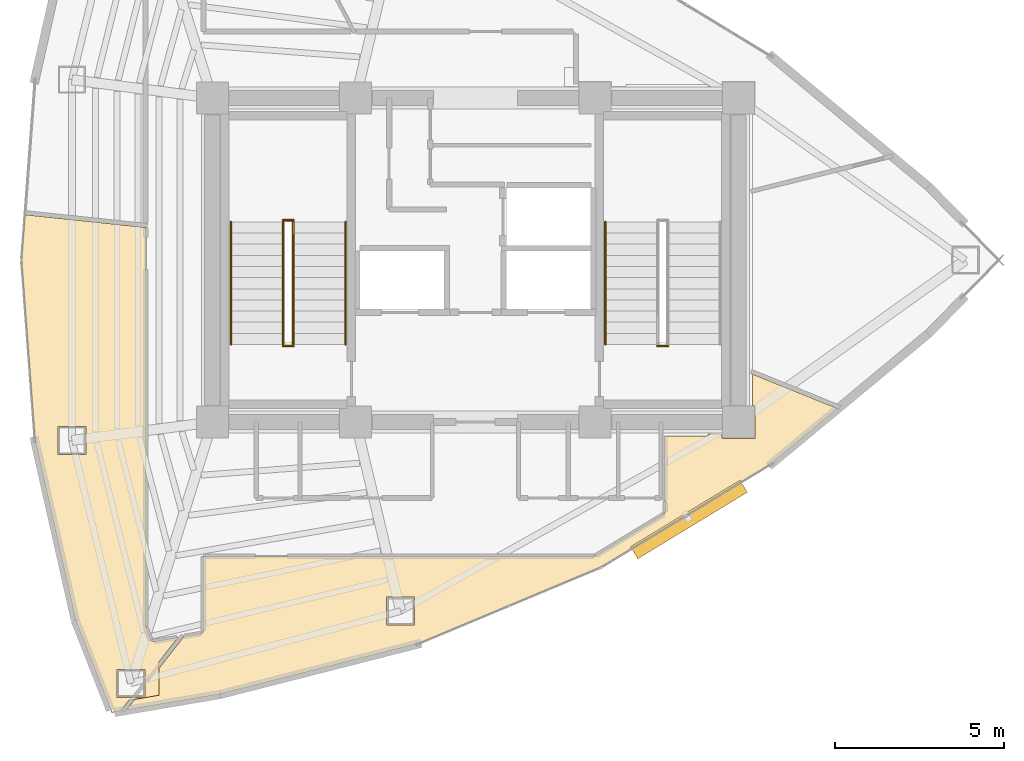
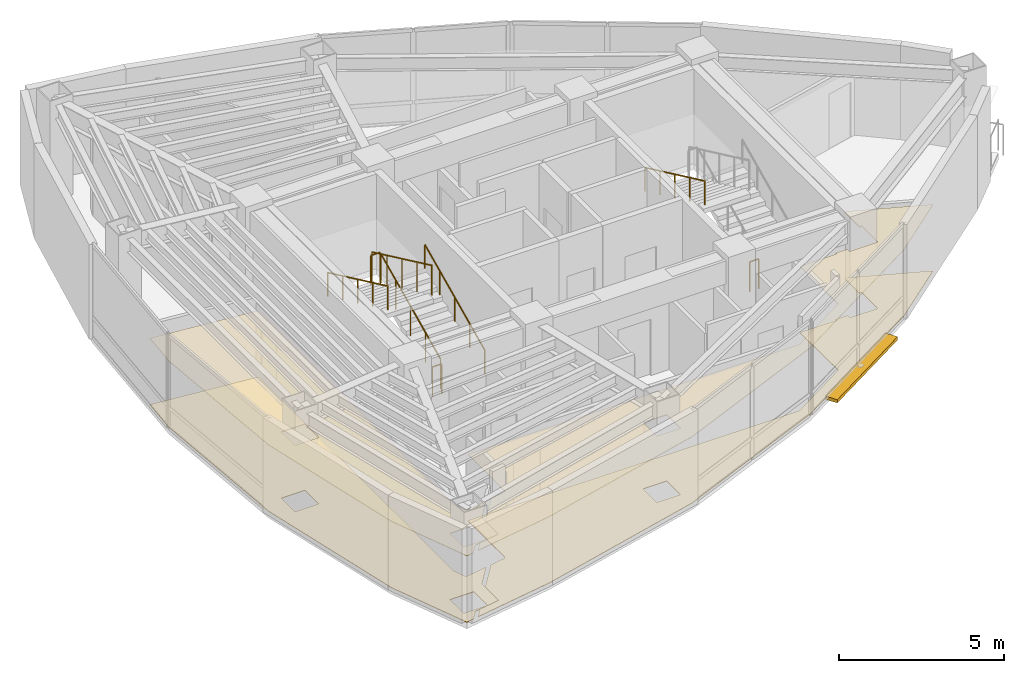
# One storey, part 14 of 15: 8 railings, 4 coverings, 1 shading device.
"""IFC4 building model written with IfcOpenShell, lengths in metres."""

import ifcopenshell
import ifcopenshell.guid

model = None  # the IFC model being written
_history = None  # IfcOwnerHistory: only IFC2X3 demands one
_inside = {}  # id of a spatial element -> (the spatial element, [elements in it])
_under = {}  # id of a project, library or spatial element -> (it, [spatial elements below it])
_declared = {}  # id of a project -> (the project, [libraries it declares])
_typed = {}  # id of a type object -> (the type object, [elements of that type])
_made_of = {}  # id of a material, layer set ... -> (it, [elements and type objects made of it])


def new_model(schema):
    """Start an empty IFC model of exactly this schema.

    Asked for "IFC4X3", IfcOpenShell would pick the latest addendum, in which some entities
    have other attributes; the version numbers below select the first issue.
    IFC2X3 requires an IfcOwnerHistory on every rooted entity: one is made here for all.
    """
    global model, _history
    if schema == "IFC4X3":
        model = ifcopenshell.file(schema_version=(4, 3, 0, 0))
    else:
        model = ifcopenshell.file(schema=schema)
    _inside.clear()
    _under.clear()
    _declared.clear()
    _typed.clear()
    _made_of.clear()
    _history = None
    if model.schema == "IFC2X3":
        org = make("IfcOrganization", Name="unknown")
        user = make(
            "IfcPersonAndOrganization",
            ThePerson=make("IfcPerson", FamilyName="unknown"),
            TheOrganization=org,
        )
        app = make(
            "IfcApplication",
            ApplicationDeveloper=org,
            Version="unknown",
            ApplicationFullName="unknown",
            ApplicationIdentifier="unknown",
        )
        _history = make(
            "IfcOwnerHistory",
            OwningUser=user,
            OwningApplication=app,
            ChangeAction="ADDED",
            CreationDate=0,
        )
    return model


def make(cls, **values):
    """One entity of the class cls with the attributes given. An attribute that is None is left unset."""
    return model.create_entity(
        cls, **{name: value for name, value in values.items() if value is not None}
    )


def rooted(cls, **values):
    """An entity with a GlobalId (a new one), such as an element, a storey or a relation."""
    return make(cls, GlobalId=ifcopenshell.guid.new(), OwnerHistory=_history, **values)


def si_unit(unit_type, name, prefix=None):
    """IfcSIUnit, for example si_unit("LENGTHUNIT", "METRE", prefix="MILLI")."""
    return make("IfcSIUnit", UnitType=unit_type, Prefix=prefix, Name=name)


def assignment(units):
    """IfcUnitAssignment: the units of a project."""
    return None if units is None else make("IfcUnitAssignment", Units=units)


def point(xyz):
    """IfcCartesianPoint."""
    return None if xyz is None else make("IfcCartesianPoint", Coordinates=xyz)


def direction(xyz):
    """IfcDirection."""
    return None if xyz is None else make("IfcDirection", DirectionRatios=xyz)


def frame(location, z_axis=None, x_axis=None):
    """IfcAxis2Placement3D, a coordinate frame: its origin and axes. An axis left out is left unset."""
    return make(
        "IfcAxis2Placement3D",
        Location=point(location),
        Axis=direction(z_axis),
        RefDirection=direction(x_axis),
    )


def frame_2d(location, x_axis=None):
    """IfcAxis2Placement2D, a coordinate frame in the plane: its origin and x axis."""
    return make(
        "IfcAxis2Placement2D", Location=point(location), RefDirection=direction(x_axis)
    )


def origin():
    """The frame at (0, 0, 0) with its axes left unset."""
    return frame((0.0, 0.0, 0.0))


def origin_2d():
    """The frame at (0, 0) in the plane with its x axis left unset."""
    return frame_2d((0.0, 0.0))


def place(relative_to, where):
    """IfcLocalPlacement: puts the frame where relative to a parent placement (None: the world)."""
    return make(
        "IfcLocalPlacement", PlacementRelTo=relative_to, RelativePlacement=where
    )


def context(
    kind, dimensions, precision=None, world=None, true_north=None, identifier=None
):
    """IfcGeometricRepresentationContext, for example the 3D "Model" context."""
    return make(
        "IfcGeometricRepresentationContext",
        ContextIdentifier=identifier,
        ContextType=kind,
        CoordinateSpaceDimension=dimensions,
        Precision=precision,
        WorldCoordinateSystem=world,
        TrueNorth=true_north,
    )


def subcontext(parent, identifier, kind, view, scale=None):
    """IfcGeometricRepresentationSubContext, for example "Body" below "Model"."""
    return make(
        "IfcGeometricRepresentationSubContext",
        ContextIdentifier=identifier,
        ContextType=kind,
        ParentContext=parent,
        TargetScale=scale,
        TargetView=view,
    )


def project(units=None, contexts=None):
    """IfcProject with its units and contexts."""
    return rooted(
        "IfcProject",
        Name="project",
        RepresentationContexts=contexts,
        UnitsInContext=assignment(units),
    )


def spatial(cls, under=None, at=None, **own):
    """A site, building, storey or space (cls), placed at a placement, below another one or the project."""
    s = rooted(cls, ObjectPlacement=at, **own)
    if under is not None:
        _under.setdefault(under.id(), (under, []))[1].append(s)
    return s


def polyline(points):
    """IfcPolyline through the points."""
    return make("IfcPolyline", Points=[point(p) for p in points])


def profile(cls, at=None, kind="AREA", **sizes):
    """A parametric profile (cls). Its sizes go by their IFC names, for example OverallWidth=200.0."""
    return make(cls, ProfileType=kind, Position=at, **sizes)


def rectangle(**sizes):
    """IfcRectangleProfileDef."""
    return profile("IfcRectangleProfileDef", **sizes)


def circle(**sizes):
    """IfcCircleProfileDef."""
    return profile("IfcCircleProfileDef", **sizes)


def outline(outer, holes=None, kind="AREA"):
    """IfcArbitraryClosedProfileDef: a profile drawn as a closed curve; with holes, ...WithVoids."""
    if holes is None:
        return make("IfcArbitraryClosedProfileDef", ProfileType=kind, OuterCurve=outer)
    return make(
        "IfcArbitraryProfileDefWithVoids",
        ProfileType=kind,
        OuterCurve=outer,
        InnerCurves=holes,
    )


def extrude(swept, where, along, depth):
    """IfcExtrudedAreaSolid: the profile swept, set in the frame where, extruded along a direction by depth."""
    return make(
        "IfcExtrudedAreaSolid",
        SweptArea=swept,
        Position=where,
        ExtrudedDirection=direction(along),
        Depth=depth,
    )


def shape(context_of_items, identifier, shape_type, items):
    """IfcShapeRepresentation: the items that make up one representation, for example the "Body"."""
    return make(
        "IfcShapeRepresentation",
        ContextOfItems=context_of_items,
        RepresentationIdentifier=identifier,
        RepresentationType=shape_type,
        Items=items,
    )


def material(Name=None, Category=None):
    """IfcMaterial."""
    return make("IfcMaterial", Name=Name, Category=Category)


def layer(
    of_material, thickness, ventilated=None, Name=None, Category=None, Priority=None
):
    """IfcMaterialLayer: one layer of a wall or slab, of a material (None: an air gap)."""
    return make(
        "IfcMaterialLayer",
        Material=of_material,
        LayerThickness=thickness,
        IsVentilated=ventilated,
        Name=Name,
        Category=Category,
        Priority=Priority,
    )


def layer_set(layers, Name=None):
    """IfcMaterialLayerSet."""
    return make("IfcMaterialLayerSet", MaterialLayers=layers, LayerSetName=Name)


def made_of(thing, what):
    """Note that an element or type object is made of a material, layer set ...; save() writes the relation."""
    if what is not None:
        _made_of.setdefault(what.id(), (what, []))[1].append(thing)
    return thing


def type_object(cls, material=None, **own):
    """A type object (cls), such as IfcWallType, which elements share."""
    return made_of(rooted(cls, **own), material)


def element(
    cls,
    number,
    at=None,
    inside=None,
    cuts=None,
    type_object=None,
    material=None,
    context=None,
    identifier="Body",
    shape_type=None,
    held_by="IfcProductDefinitionShape",
    body=None,
    shapes=None,
    **own,
):
    """One element of the class cls, such as IfcWall. Its Tag is "e" and its number.

    at: its placement. inside: the storey or other place that contains it. cuts: it is an
    opening in that element (IfcRelVoidsElement). A single representation is given by context,
    identifier, shape_type and body (its items); several are given by shapes. held_by: the class
    of the entity that holds the representations. save() writes the other relations.
    """
    e = rooted(cls, Tag="e%d" % number, ObjectPlacement=at, **own)
    if body is not None:
        shapes = [shape(context, identifier, shape_type, body)]
    if shapes is not None:
        e.Representation = make(held_by, Representations=shapes)
    if inside is not None:
        _inside.setdefault(inside.id(), (inside, []))[1].append(e)
    if cuts is not None:
        rooted(
            "IfcRelVoidsElement", RelatingBuildingElement=cuts, RelatedOpeningElement=e
        )
    if type_object is not None:
        _typed.setdefault(type_object.id(), (type_object, []))[1].append(e)
    return made_of(e, material)


def aggregate(whole, parts):
    """IfcRelAggregates: a whole, such as a stair, and the parts it consists of."""
    return rooted("IfcRelAggregates", RelatingObject=whole, RelatedObjects=parts)


def save(model, path):
    """Write the relations noted so far, then the file.

    IfcRelAggregates (storeys below a building ...), IfcRelContainedInSpatialStructure (elements
    in a storey), IfcRelDefinesByType, IfcRelAssociatesMaterial and IfcRelDeclares: one each for
    every whole, place, type object, material and project.
    """
    for whole, parts in _under.values():
        aggregate(whole, parts)
    for where, things in _inside.values():
        rooted(
            "IfcRelContainedInSpatialStructure",
            RelatedElements=things,
            RelatingStructure=where,
        )
    for kind, things in _typed.values():
        rooted("IfcRelDefinesByType", RelatedObjects=things, RelatingType=kind)
    for what, things in _made_of.values():
        rooted("IfcRelAssociatesMaterial", RelatedObjects=things, RelatingMaterial=what)
    for by, libraries in _declared.values():
        rooted("IfcRelDeclares", RelatingContext=by, RelatedDefinitions=libraries)
    model.write(path)


model = new_model("IFC4")

# Units and contexts
model_context = context("Model", 3, precision=1e-05, world=origin(), true_north=direction((0.0, 1.0)))
body_context = subcontext(model_context, "Body", "Model", "MODEL_VIEW")
ifc_project = project(units=[si_unit("LENGTHUNIT", "METRE"), si_unit("AREAUNIT", "SQUARE_METRE"), si_unit("VOLUMEUNIT", "CUBIC_METRE"), si_unit("PLANEANGLEUNIT", "RADIAN"), si_unit("MASSUNIT", "GRAM", prefix="KILO")], contexts=[model_context])

# Site, building, storey
site_placement = place(None, origin())
site = spatial("IfcSite", under=ifc_project, at=site_placement, CompositionType="ELEMENT")
building_placement = place(site_placement, origin())
building = spatial("IfcBuilding", under=site, at=building_placement, Name="Menara Vayukalpa", CompositionType="ELEMENT")
storey_placement = place(building_placement, frame((0.0, 0.0, 250.860107421875)))
storey = spatial("IfcBuildingStorey", under=building, at=storey_placement, Name="L63", CompositionType="ELEMENT", Elevation=250.860107421875)

# Coverings
ifc_material_1 = material(Name="Mineral Fibre Acoustic Ceiling Tile", Category="masonry")
ifc_layer_1 = layer(ifc_material_1, 0.02490234375)
ifc_layer_set_1 = layer_set([ifc_layer_1], Name="Mineral Fibre Acoustic Ceiling Tile")
covering_type_1 = type_object("IfcCoveringType", Name="COV-CLG1", PredefinedType="CEILING", material=ifc_layer_set_1)
covering_1_placement = place(storey_placement, frame((0.0, 0.0, 2.449951171875)))
element("IfcCovering", 1, at=covering_1_placement, inside=storey, type_object=covering_type_1, Name="L63 Digital Engineering Lab Acoustic Ceiling", PredefinedType="CEILING", context=body_context, shape_type="SweptSolid", body=[
    extrude(outline(polyline([(15.326416015625, 8.94775390625), (15.10205078125, 8.66064453125), (15.098388671875, 8.65576171875), (15.095703125, 8.650390625), (15.09326171875, 8.645263671875), (15.09130859375, 8.639404296875), (15.0908203125, 8.638427734375), (15.090576171875, 8.637451171875), (15.090087890625, 8.63671875), (15.08935546875, 8.635986328125), (15.088623046875, 8.63525390625), (15.087890625, 8.634521484375), (15.087158203125, 8.634033203125), (15.086181640625, 8.633544921875), (15.08544921875, 8.63330078125), (15.08447265625, 8.6328125), (15.08349609375, 8.632568359375), (14.82861328125, 8.58935546875), (14.827392578125, 8.589111328125), (14.826416015625, 8.589111328125), (14.82568359375, 8.58935546875), (14.82470703125, 8.58935546875), (14.82373046875, 8.589599609375), (14.82275390625, 8.590087890625), (14.822021484375, 8.590576171875), (14.821044921875, 8.591064453125), (14.8203125, 8.591552734375), (14.819580078125, 8.59228515625), (14.81884765625, 8.593017578125), (14.818359375, 8.59375), (14.81787109375, 8.5947265625), (14.8173828125, 8.595458984375), (13.751953125, 11.308837890625), (13.751708984375, 11.309814453125), (13.75146484375, 11.310302734375), (12.549072265625, 16.654052734375), (12.548828125, 16.655517578125), (12.148193359375, 21.999267578125), (12.148193359375, 22.0), (12.148193359375, 22.000732421875), (12.247802734375, 23.33251953125), (12.248046875, 23.33349609375), (12.248291015625, 23.334716796875), (12.24853515625, 23.335693359375), (12.2490234375, 23.33642578125), (12.24951171875, 23.33740234375), (12.25, 23.338134765625), (12.250732421875, 23.3388671875), (12.25146484375, 23.339599609375), (12.252197265625, 23.340087890625), (12.253173828125, 23.3408203125), (12.25390625, 23.341064453125), (12.2548828125, 23.341552734375), (12.256103515625, 23.341796875), (12.2568359375, 23.341796875), (12.2578125, 23.341796875), (12.2587890625, 23.341796875), (15.821044921875, 22.96728515625), (15.822021484375, 22.96728515625), (15.822998046875, 22.967041015625), (15.823974609375, 22.966796875), (15.82470703125, 22.96630859375), (15.82568359375, 22.9658203125), (15.826416015625, 22.965087890625), (15.8271484375, 22.964599609375), (15.82763671875, 22.9638671875), (15.828369140625, 22.962890625), (15.828857421875, 22.962158203125), (15.8291015625, 22.961181640625), (15.82958984375, 22.96044921875), (15.829833984375, 22.95947265625), (15.830078125, 22.95849609375), (15.830078125, 22.95751953125), (15.830078125, 11.146484375), (15.830322265625, 11.1396484375), (15.831298828125, 11.13330078125), (15.832763671875, 11.126708984375), (15.8349609375, 11.12060546875), (15.984619140625, 10.7392578125), (15.987548828125, 10.732666015625), (15.990966796875, 10.726806640625), (15.994873046875, 10.72119140625), (15.999267578125, 10.716064453125), (16.00439453125, 10.71142578125), (16.009765625, 10.707275390625), (16.015625, 10.70361328125), (16.021484375, 10.700439453125), (16.02783203125, 10.697998046875), (16.034423828125, 10.6962890625), (16.041259765625, 10.695068359375), (16.048095703125, 10.694580078125), (16.054931640625, 10.694580078125), (16.06201171875, 10.695556640625), (16.7626953125, 10.814697265625), (16.763671875, 10.814697265625), (16.7646484375, 10.814697265625), (16.765625, 10.814697265625), (16.7666015625, 10.814453125), (16.767578125, 10.814208984375), (16.7685546875, 10.813720703125), (16.76953125, 10.813232421875), (16.770263671875, 10.812744140625), (16.77099609375, 10.81201171875), (16.771728515625, 10.811279296875), (16.7724609375, 10.810791015625), (16.77294921875, 10.809814453125), (16.7734375, 10.808837890625), (16.773681640625, 10.80810546875), (16.774169921875, 10.80712890625), (16.7744140625, 10.80615234375), (16.7744140625, 10.80517578125), (16.7744140625, 10.80419921875), (16.7744140625, 10.802978515625), (16.774169921875, 10.802001953125), (16.773681640625, 10.801025390625), (16.773193359375, 10.80029296875), (16.77294921875, 10.79931640625), (16.772216796875, 10.798583984375), (16.22412109375, 10.096923828125), (16.22412109375, 9.10009765625), (15.326416015625, 8.94775390625)]), holes=[polyline([(14.97412109375, 9.870361328125), (14.97412109375, 9.040283203125), (15.80419921875, 9.040283203125), (15.80419921875, 9.870361328125), (14.97412109375, 9.870361328125)]), polyline([(14.053955078125, 17.068359375), (13.22412109375, 17.068359375), (13.22412109375, 16.23828125), (14.053955078125, 16.23828125), (14.053955078125, 17.068359375)])]), origin(), (0.0, 0.0, 1.0), 0.02490234375),
])
covering_2_placement = place(storey_placement, frame((0.0, 0.0, 2.449951171875)))
element("IfcCovering", 2, at=covering_2_placement, inside=storey, type_object=covering_type_1, Name="L63 Digital Engineering Lab Acoustic Ceiling", PredefinedType="CEILING", context=body_context, shape_type="SweptSolid", body=[
    extrude(outline(polyline([(16.959716796875, 10.84326171875), (16.9609375, 10.84521484375), (16.96142578125, 10.845947265625), (16.962158203125, 10.8466796875), (16.962890625, 10.847412109375), (16.9638671875, 10.847900390625), (16.964599609375, 10.848388671875), (16.965576171875, 10.8486328125), (16.966552734375, 10.84912109375), (16.96728515625, 10.849365234375), (17.471435546875, 10.934814453125), (17.478515625, 10.936279296875), (17.485107421875, 10.938720703125), (17.49169921875, 10.94140625), (17.497802734375, 10.94482421875), (17.50341796875, 10.94921875), (17.5087890625, 10.95361328125), (17.513427734375, 10.958740234375), (17.517822265625, 10.96435546875), (17.521484375, 10.97021484375), (17.5244140625, 10.9765625), (17.52685546875, 10.983154296875), (17.528564453125, 10.989990234375), (17.529541015625, 10.996826171875), (17.530029296875, 11.004150390625), (17.530029296875, 13.2099609375), (17.530029296875, 13.2109375), (17.5302734375, 13.2119140625), (17.530517578125, 13.212890625), (17.53076171875, 13.2138671875), (17.53125, 13.214599609375), (17.53173828125, 13.215576171875), (17.5322265625, 13.21630859375), (17.532958984375, 13.217041015625), (17.53369140625, 13.2177734375), (17.534423828125, 13.21826171875), (17.535400390625, 13.21875), (17.5361328125, 13.21923828125), (17.537109375, 13.219482421875), (17.5380859375, 13.2197265625), (17.5390625, 13.219970703125), (17.5400390625, 13.219970703125), (29.109619140625, 13.219970703125), (29.11669921875, 13.220458984375), (29.12353515625, 13.221435546875), (29.13037109375, 13.22314453125), (29.13720703125, 13.2255859375), (29.153076171875, 13.232177734375), (29.157958984375, 13.234375), (29.16259765625, 13.237060546875), (31.18603515625, 14.46630859375), (31.1923828125, 14.470458984375), (31.19775390625, 14.47509765625), (31.20263671875, 14.480224609375), (31.20703125, 14.48583984375), (31.2109375, 14.491943359375), (31.214111328125, 14.498291015625), (31.216552734375, 14.5048828125), (31.218505859375, 14.511962890625), (31.219482421875, 14.51904296875), (31.219970703125, 14.5263671875), (31.219970703125, 14.849609375), (31.219482421875, 14.856689453125), (31.21875, 14.86376953125), (31.217041015625, 14.870361328125), (31.214599609375, 14.876708984375), (31.2119140625, 14.8828125), (31.211669921875, 14.883056640625), (31.211181640625, 14.8837890625), (31.210693359375, 14.884765625), (31.21044921875, 14.8857421875), (31.210205078125, 14.88671875), (31.2099609375, 14.8876953125), (31.2099609375, 14.888671875), (31.2099609375, 16.780029296875), (31.2099609375, 16.781005859375), (31.210205078125, 16.781982421875), (31.21044921875, 16.782958984375), (31.210693359375, 16.78369140625), (31.211181640625, 16.78466796875), (31.211669921875, 16.78564453125), (31.21240234375, 16.786376953125), (31.212890625, 16.787109375), (31.213623046875, 16.78759765625), (31.21435546875, 16.788330078125), (31.21533203125, 16.788818359375), (31.21630859375, 16.789306640625), (31.217041015625, 16.78955078125), (31.218017578125, 16.789794921875), (31.218994140625, 16.7900390625), (31.219970703125, 16.7900390625), (32.489990234375, 16.7900390625), (32.489990234375, 16.85009765625), (32.909912109375, 16.85009765625), (32.909912109375, 16.7099609375), (33.889892578125, 16.7099609375), (33.889892578125, 17.68994140625), (33.81005859375, 17.68994140625), (33.81005859375, 18.603515625), (33.81005859375, 18.6044921875), (33.810302734375, 18.605224609375), (33.810302734375, 18.606201171875), (33.810791015625, 18.607177734375), (33.811279296875, 18.608154296875), (33.811767578125, 18.60888671875), (33.812255859375, 18.609619140625), (33.81298828125, 18.6103515625), (33.813720703125, 18.611083984375), (33.814453125, 18.61181640625), (33.815185546875, 18.6123046875), (33.816162109375, 18.612548828125), (33.81689453125, 18.613037109375), (33.818115234375, 18.61328125), (33.819091796875, 18.61328125), (33.81982421875, 18.61328125), (33.82080078125, 18.61328125), (33.822021484375, 18.61328125), (33.82275390625, 18.613037109375), (33.82373046875, 18.61279296875), (36.321044921875, 17.603759765625), (36.322021484375, 17.603271484375), (36.322998046875, 17.602783203125), (36.32373046875, 17.602294921875), (36.324462890625, 17.6015625), (36.3251953125, 17.600830078125), (36.32568359375, 17.60009765625), (36.326171875, 17.59912109375), (36.32666015625, 17.598388671875), (36.326904296875, 17.597412109375), (36.3271484375, 17.596435546875), (36.327392578125, 17.595458984375), (36.327392578125, 17.594482421875), (36.327392578125, 17.593505859375), (36.3271484375, 17.592529296875), (36.326904296875, 17.591552734375), (36.32666015625, 17.590576171875), (36.326171875, 17.589599609375), (36.32568359375, 17.5888671875), (36.3251953125, 17.588134765625), (36.324462890625, 17.58740234375), (36.32373046875, 17.586669921875), (34.374755859375, 15.97021484375), (34.37353515625, 15.969482421875), (29.3271484375, 12.904052734375), (29.326416015625, 12.90380859375), (29.32568359375, 12.9033203125), (23.878662109375, 10.624755859375), (23.877197265625, 10.624267578125), (18.028564453125, 9.1328125), (18.027587890625, 9.132568359375), (15.28076171875, 8.666015625), (15.27978515625, 8.666015625), (15.27880859375, 8.666015625), (15.277587890625, 8.666015625), (15.276611328125, 8.666259765625), (15.275634765625, 8.66650390625), (15.27490234375, 8.6669921875), (15.27392578125, 8.66748046875), (15.273193359375, 8.66796875), (15.272216796875, 8.668701171875), (15.271484375, 8.669189453125), (15.27099609375, 8.669921875), (15.2705078125, 8.6708984375), (15.27001953125, 8.671875), (15.26953125, 8.672607421875), (15.269287109375, 8.673583984375), (15.26904296875, 8.674560546875), (15.26904296875, 8.675537109375), (15.26904296875, 8.676513671875), (15.26904296875, 8.677490234375), (15.269287109375, 8.6787109375), (15.269775390625, 8.6796875), (15.27001953125, 8.680419921875), (15.2705078125, 8.681396484375), (15.27099609375, 8.68212890625), (15.501953125, 8.9775390625), (14.99169921875, 8.890869140625), (14.55419921875, 10.0048828125), (14.55419921875, 10.290283203125), (16.22412109375, 10.290283203125), (16.22412109375, 9.90185546875), (16.959716796875, 10.84326171875)]), holes=[polyline([(14.97412109375, 9.870361328125), (14.97412109375, 9.040283203125), (15.80419921875, 9.040283203125), (15.80419921875, 9.870361328125), (14.97412109375, 9.870361328125)]), polyline([(23.796875, 12.01025390625), (22.966796875, 12.01025390625), (22.966796875, 11.18017578125), (23.796875, 11.18017578125), (23.796875, 12.01025390625)])]), origin(), (0.0, 0.0, 1.0), 0.02490234375),
])
ifc_material_2 = material(Name="Porcelain Stoneware Floor Tile", Category="masonry")
ifc_layer_2 = layer(ifc_material_2, 0.02001953125)
ifc_layer_set_2 = layer_set([ifc_layer_2], Name="Porcelain Stoneware Floor Tile")
covering_type_2 = type_object("IfcCoveringType", Name="COV-FLR1", PredefinedType="FLOORING", material=ifc_layer_set_2)
covering_3_placement = place(storey_placement, origin())
element("IfcCovering", 3, at=covering_3_placement, inside=storey, type_object=covering_type_2, Name="L63 Digital Engineering Lab Porcelain Flooring", PredefinedType="FLOORING", context=body_context, shape_type="SweptSolid", body=[
    extrude(outline(polyline([(15.326416015625, 8.94775390625), (15.10205078125, 8.66064453125), (15.098388671875, 8.65576171875), (15.095703125, 8.650390625), (15.09326171875, 8.645263671875), (15.09130859375, 8.639404296875), (15.0908203125, 8.638427734375), (15.090576171875, 8.637451171875), (15.090087890625, 8.63671875), (15.08935546875, 8.635986328125), (15.088623046875, 8.63525390625), (15.087890625, 8.634521484375), (15.087158203125, 8.634033203125), (15.086181640625, 8.633544921875), (15.08544921875, 8.63330078125), (15.08447265625, 8.6328125), (15.08349609375, 8.632568359375), (14.82861328125, 8.58935546875), (14.827392578125, 8.589111328125), (14.826416015625, 8.589111328125), (14.82568359375, 8.58935546875), (14.82470703125, 8.58935546875), (14.82373046875, 8.589599609375), (14.82275390625, 8.590087890625), (14.822021484375, 8.590576171875), (14.821044921875, 8.591064453125), (14.8203125, 8.591552734375), (14.819580078125, 8.59228515625), (14.81884765625, 8.593017578125), (14.818359375, 8.59375), (14.81787109375, 8.5947265625), (14.8173828125, 8.595458984375), (13.751953125, 11.308837890625), (13.751708984375, 11.309814453125), (13.75146484375, 11.310302734375), (12.549072265625, 16.654052734375), (12.548828125, 16.655517578125), (12.148193359375, 21.999267578125), (12.148193359375, 22.0), (12.148193359375, 22.000732421875), (12.247802734375, 23.33251953125), (12.248046875, 23.33349609375), (12.248291015625, 23.334716796875), (12.24853515625, 23.335693359375), (12.2490234375, 23.33642578125), (12.24951171875, 23.33740234375), (12.25, 23.338134765625), (12.250732421875, 23.3388671875), (12.25146484375, 23.339599609375), (12.252197265625, 23.340087890625), (12.253173828125, 23.3408203125), (12.25390625, 23.341064453125), (12.2548828125, 23.341552734375), (12.256103515625, 23.341796875), (12.2568359375, 23.341796875), (12.2578125, 23.341796875), (12.2587890625, 23.341796875), (15.821044921875, 22.96728515625), (15.822021484375, 22.96728515625), (15.822998046875, 22.967041015625), (15.823974609375, 22.966796875), (15.82470703125, 22.96630859375), (15.82568359375, 22.9658203125), (15.826416015625, 22.965087890625), (15.8271484375, 22.964599609375), (15.82763671875, 22.9638671875), (15.828369140625, 22.962890625), (15.828857421875, 22.962158203125), (15.8291015625, 22.961181640625), (15.82958984375, 22.96044921875), (15.829833984375, 22.95947265625), (15.830078125, 22.95849609375), (15.830078125, 22.95751953125), (15.830078125, 11.146484375), (15.830322265625, 11.1396484375), (15.831298828125, 11.13330078125), (15.832763671875, 11.126708984375), (15.8349609375, 11.12060546875), (15.984619140625, 10.7392578125), (15.987548828125, 10.732666015625), (15.990966796875, 10.726806640625), (15.994873046875, 10.72119140625), (15.999267578125, 10.716064453125), (16.00439453125, 10.71142578125), (16.009765625, 10.707275390625), (16.015625, 10.70361328125), (16.021484375, 10.700439453125), (16.02783203125, 10.697998046875), (16.034423828125, 10.6962890625), (16.041259765625, 10.695068359375), (16.048095703125, 10.694580078125), (16.054931640625, 10.694580078125), (16.06201171875, 10.695556640625), (16.7626953125, 10.814697265625), (16.763671875, 10.814697265625), (16.7646484375, 10.814697265625), (16.765625, 10.814697265625), (16.7666015625, 10.814453125), (16.767578125, 10.814208984375), (16.7685546875, 10.813720703125), (16.76953125, 10.813232421875), (16.770263671875, 10.812744140625), (16.77099609375, 10.81201171875), (16.771728515625, 10.811279296875), (16.7724609375, 10.810791015625), (16.77294921875, 10.809814453125), (16.7734375, 10.808837890625), (16.773681640625, 10.80810546875), (16.774169921875, 10.80712890625), (16.7744140625, 10.80615234375), (16.7744140625, 10.80517578125), (16.7744140625, 10.80419921875), (16.7744140625, 10.802978515625), (16.774169921875, 10.802001953125), (16.773681640625, 10.801025390625), (16.773193359375, 10.80029296875), (16.77294921875, 10.79931640625), (16.772216796875, 10.798583984375), (16.22412109375, 10.096923828125), (16.22412109375, 9.10009765625), (15.326416015625, 8.94775390625)]), holes=[polyline([(14.97412109375, 9.870361328125), (14.97412109375, 9.040283203125), (15.80419921875, 9.040283203125), (15.80419921875, 9.870361328125), (14.97412109375, 9.870361328125)]), polyline([(14.053955078125, 17.068359375), (13.22412109375, 17.068359375), (13.22412109375, 16.23828125), (14.053955078125, 16.23828125), (14.053955078125, 17.068359375)])]), origin(), (0.0, 0.0, 1.0), 0.019775390625),
])
covering_4_placement = place(storey_placement, origin())
element("IfcCovering", 4, at=covering_4_placement, inside=storey, type_object=covering_type_2, Name="L63 Digital Engineering Lab Porcelain Flooring", PredefinedType="FLOORING", context=body_context, shape_type="SweptSolid", body=[
    extrude(outline(polyline([(16.959716796875, 10.84326171875), (16.9609375, 10.84521484375), (16.96142578125, 10.845947265625), (16.962158203125, 10.8466796875), (16.962890625, 10.847412109375), (16.9638671875, 10.847900390625), (16.964599609375, 10.848388671875), (16.965576171875, 10.8486328125), (16.966552734375, 10.84912109375), (16.96728515625, 10.849365234375), (17.471435546875, 10.934814453125), (17.478515625, 10.936279296875), (17.485107421875, 10.938720703125), (17.49169921875, 10.94140625), (17.497802734375, 10.94482421875), (17.50341796875, 10.94921875), (17.5087890625, 10.95361328125), (17.513427734375, 10.958740234375), (17.517822265625, 10.96435546875), (17.521484375, 10.97021484375), (17.5244140625, 10.9765625), (17.52685546875, 10.983154296875), (17.528564453125, 10.989990234375), (17.529541015625, 10.996826171875), (17.530029296875, 11.004150390625), (17.530029296875, 13.2099609375), (17.530029296875, 13.2109375), (17.5302734375, 13.2119140625), (17.530517578125, 13.212890625), (17.53076171875, 13.2138671875), (17.53125, 13.214599609375), (17.53173828125, 13.215576171875), (17.5322265625, 13.21630859375), (17.532958984375, 13.217041015625), (17.53369140625, 13.2177734375), (17.534423828125, 13.21826171875), (17.535400390625, 13.21875), (17.5361328125, 13.21923828125), (17.537109375, 13.219482421875), (17.5380859375, 13.2197265625), (17.5390625, 13.219970703125), (17.5400390625, 13.219970703125), (29.109619140625, 13.219970703125), (29.11669921875, 13.220458984375), (29.12353515625, 13.221435546875), (29.13037109375, 13.22314453125), (29.13720703125, 13.2255859375), (29.153076171875, 13.232177734375), (29.157958984375, 13.234375), (29.16259765625, 13.237060546875), (31.18603515625, 14.46630859375), (31.1923828125, 14.470458984375), (31.19775390625, 14.47509765625), (31.20263671875, 14.480224609375), (31.20703125, 14.48583984375), (31.2109375, 14.491943359375), (31.214111328125, 14.498291015625), (31.216552734375, 14.5048828125), (31.218505859375, 14.511962890625), (31.219482421875, 14.51904296875), (31.219970703125, 14.5263671875), (31.219970703125, 14.849609375), (31.219482421875, 14.856689453125), (31.21875, 14.86376953125), (31.217041015625, 14.870361328125), (31.214599609375, 14.876708984375), (31.2119140625, 14.8828125), (31.211669921875, 14.883056640625), (31.211181640625, 14.8837890625), (31.210693359375, 14.884765625), (31.21044921875, 14.8857421875), (31.210205078125, 14.88671875), (31.2099609375, 14.8876953125), (31.2099609375, 14.888671875), (31.2099609375, 16.780029296875), (31.2099609375, 16.781005859375), (31.210205078125, 16.781982421875), (31.21044921875, 16.782958984375), (31.210693359375, 16.78369140625), (31.211181640625, 16.78466796875), (31.211669921875, 16.78564453125), (31.21240234375, 16.786376953125), (31.212890625, 16.787109375), (31.213623046875, 16.78759765625), (31.21435546875, 16.788330078125), (31.21533203125, 16.788818359375), (31.21630859375, 16.789306640625), (31.217041015625, 16.78955078125), (31.218017578125, 16.789794921875), (31.218994140625, 16.7900390625), (31.219970703125, 16.7900390625), (32.489990234375, 16.7900390625), (32.489990234375, 16.85009765625), (32.909912109375, 16.85009765625), (32.909912109375, 16.7099609375), (33.889892578125, 16.7099609375), (33.889892578125, 17.68994140625), (33.81005859375, 17.68994140625), (33.81005859375, 18.603515625), (33.81005859375, 18.6044921875), (33.810302734375, 18.605224609375), (33.810302734375, 18.606201171875), (33.810791015625, 18.607177734375), (33.811279296875, 18.608154296875), (33.811767578125, 18.60888671875), (33.812255859375, 18.609619140625), (33.81298828125, 18.6103515625), (33.813720703125, 18.611083984375), (33.814453125, 18.61181640625), (33.815185546875, 18.6123046875), (33.816162109375, 18.612548828125), (33.81689453125, 18.613037109375), (33.818115234375, 18.61328125), (33.819091796875, 18.61328125), (33.81982421875, 18.61328125), (33.82080078125, 18.61328125), (33.822021484375, 18.61328125), (33.82275390625, 18.613037109375), (33.82373046875, 18.61279296875), (36.321044921875, 17.603759765625), (36.322021484375, 17.603271484375), (36.322998046875, 17.602783203125), (36.32373046875, 17.602294921875), (36.324462890625, 17.6015625), (36.3251953125, 17.600830078125), (36.32568359375, 17.60009765625), (36.326171875, 17.59912109375), (36.32666015625, 17.598388671875), (36.326904296875, 17.597412109375), (36.3271484375, 17.596435546875), (36.327392578125, 17.595458984375), (36.327392578125, 17.594482421875), (36.327392578125, 17.593505859375), (36.3271484375, 17.592529296875), (36.326904296875, 17.591552734375), (36.32666015625, 17.590576171875), (36.326171875, 17.589599609375), (36.32568359375, 17.5888671875), (36.3251953125, 17.588134765625), (36.324462890625, 17.58740234375), (36.32373046875, 17.586669921875), (34.374755859375, 15.97021484375), (34.37353515625, 15.969482421875), (29.3271484375, 12.904052734375), (29.326416015625, 12.90380859375), (29.32568359375, 12.9033203125), (23.878662109375, 10.624755859375), (23.877197265625, 10.624267578125), (18.028564453125, 9.1328125), (18.027587890625, 9.132568359375), (15.28076171875, 8.666015625), (15.27978515625, 8.666015625), (15.27880859375, 8.666015625), (15.277587890625, 8.666015625), (15.276611328125, 8.666259765625), (15.275634765625, 8.66650390625), (15.27490234375, 8.6669921875), (15.27392578125, 8.66748046875), (15.273193359375, 8.66796875), (15.272216796875, 8.668701171875), (15.271484375, 8.669189453125), (15.27099609375, 8.669921875), (15.2705078125, 8.6708984375), (15.27001953125, 8.671875), (15.26953125, 8.672607421875), (15.269287109375, 8.673583984375), (15.26904296875, 8.674560546875), (15.26904296875, 8.675537109375), (15.26904296875, 8.676513671875), (15.26904296875, 8.677490234375), (15.269287109375, 8.6787109375), (15.269775390625, 8.6796875), (15.27001953125, 8.680419921875), (15.2705078125, 8.681396484375), (15.27099609375, 8.68212890625), (15.501953125, 8.9775390625), (14.99169921875, 8.890869140625), (14.55419921875, 10.0048828125), (14.55419921875, 10.290283203125), (16.22412109375, 10.290283203125), (16.22412109375, 9.90185546875), (16.959716796875, 10.84326171875)]), holes=[polyline([(14.97412109375, 9.870361328125), (14.97412109375, 9.040283203125), (15.80419921875, 9.040283203125), (15.80419921875, 9.870361328125), (14.97412109375, 9.870361328125)]), polyline([(23.796875, 12.01025390625), (22.966796875, 12.01025390625), (22.966796875, 11.18017578125), (23.796875, 11.18017578125), (23.796875, 12.01025390625)])]), origin(), (0.0, 0.0, 1.0), 0.019775390625),
])

# Railings
ifc_material_3 = material(Name="Powder-Coated Galvanised Steel Guardrail", Category="steel")
railing_type_1 = type_object("IfcRailingType", Name="RLG-STG110", PredefinedType="GUARDRAIL", material=ifc_material_3)
railing_1_placement = place(storey_placement, frame((20.199951171875, 19.5, 0.15478515625)))
element("IfcRailing", 5, at=railing_1_placement, inside=storey, type_object=railing_type_1, Name="L63 ST-1 stair guard 1", PredefinedType="GUARDRAIL", context=body_context, shape_type="SweptSolid", body=[
    extrude(circle(Radius=0.02392578125, at=origin_2d()), frame((0.0, 0.0, 1.09619140625), z_axis=(0.0, 0.90511648382, 0.425163675209), x_axis=(-1.0, 0.0, 0.0)), (0.0, 0.0, 1.0), 4.010498046875),
    extrude(circle(Radius=0.02099609375, at=origin_2d()), origin(), (0.0, 0.0, 1.0), 1.072021484375),
    extrude(circle(Radius=0.02099609375, at=origin_2d()), frame((0.0, 0.907470703125, 0.42626953125)), (0.0, 0.0, 1.0), 1.072021484375),
    extrude(circle(Radius=0.02099609375, at=origin_2d()), frame((0.0, 1.81494140625, 0.8525390625)), (0.0, 0.0, 1.0), 1.072021484375),
    extrude(circle(Radius=0.02099609375, at=origin_2d()), frame((0.0, 2.722412109375, 1.27880859375)), (0.0, 0.0, 1.0), 1.072021484375),
    extrude(circle(Radius=0.02099609375, at=origin_2d()), frame((0.0, 3.6298828125, 1.705078125)), (0.0, 0.0, 1.0), 1.072021484375),
])
railing_2_placement = place(storey_placement, frame((20.2099609375, 23.179931640625, 1.85986328125)))
element("IfcRailing", 6, at=railing_2_placement, inside=storey, type_object=railing_type_1, Name="L63 ST-1 stair guard 2", PredefinedType="GUARDRAIL", context=body_context, shape_type="SweptSolid", body=[
    extrude(circle(Radius=0.02392578125, at=origin_2d()), frame((0.0, 0.0, 1.09619140625), z_axis=(-1.0, 0.0, 0.0), x_axis=(0.0, -1.0, 0.0)), (0.0, 0.0, 1.0), 0.320068359375),
    extrude(circle(Radius=0.02099609375, at=origin_2d()), origin(), (0.0, 0.0, 1.0), 1.072021484375),
    extrude(circle(Radius=0.02099609375, at=origin_2d()), frame((-0.320068359375, 0.0, 0.0)), (0.0, 0.0, 1.0), 1.072021484375),
])
railing_3_placement = place(storey_placement, frame((19.89990234375, 23.1298828125, 2.014892578125)))
element("IfcRailing", 7, at=railing_3_placement, inside=storey, type_object=railing_type_1, Name="L63 ST-1 stair guard 3", PredefinedType="GUARDRAIL", context=body_context, shape_type="SweptSolid", body=[
    extrude(circle(Radius=0.02392578125, at=origin_2d()), frame((0.0, 0.0, 1.09619140625), z_axis=(0.0, -0.90511648382, 0.425163675209), x_axis=(1.0, 0.0, 0.0)), (0.0, 0.0, 1.0), 4.010498046875),
    extrude(circle(Radius=0.02099609375, at=origin_2d()), origin(), (0.0, 0.0, 1.0), 1.072021484375),
    extrude(circle(Radius=0.02099609375, at=origin_2d()), frame((0.0, -0.907470703125, 0.42626953125)), (0.0, 0.0, 1.0), 1.072021484375),
    extrude(circle(Radius=0.02099609375, at=origin_2d()), frame((0.0, -1.81494140625, 0.8525390625)), (0.0, 0.0, 1.0), 1.072021484375),
    extrude(circle(Radius=0.02099609375, at=origin_2d()), frame((0.0, -2.722412109375, 1.27880859375)), (0.0, 0.0, 1.0), 1.072021484375),
    extrude(circle(Radius=0.02099609375, at=origin_2d()), frame((0.0, -3.6298828125, 1.705078125)), (0.0, 0.0, 1.0), 1.072021484375),
])
for number, where, name in (
    (8, (20.2099609375, 19.449951171875, 0.0), "L63 ST-1 stair guard 4"),
    (9, (31.31005859375, 19.449951171875, 0.0), "L63 ST-2 stair guard 4"),
):
    element("IfcRailing", number, at=place(storey_placement, frame(where)), inside=storey, type_object=railing_type_1, Name=name, PredefinedType="GUARDRAIL", context=body_context, shape_type="SweptSolid", body=[
        extrude(circle(Radius=0.02392578125, at=origin_2d()), frame((0.0, 0.0, 1.09619140625), z_axis=(-1.0, 0.0, 0.0), x_axis=(0.0, -1.0, 0.0)), (0.0, 0.0, 1.0), 0.320068359375),
        extrude(circle(Radius=0.02099609375, at=origin_2d()), origin(), (0.0, 0.0, 1.0), 1.072021484375),
        extrude(circle(Radius=0.02099609375, at=origin_2d()), frame((-0.320068359375, 0.0, 0.0)), (0.0, 0.0, 1.0), 1.072021484375),
    ])
ifc_material_4 = material(Name="Stainless Steel 316 Tubular Handrail", Category="steel")
railing_type_2 = type_object("IfcRailingType", Name="RLG-STH090", PredefinedType="HANDRAIL", material=ifc_material_4)
railing_4_placement = place(storey_placement, frame((21.75, 19.5, 0.15478515625)))
element("IfcRailing", 10, at=railing_4_placement, inside=storey, type_object=railing_type_2, Name="L63 ST-1 stair handrail 1", PredefinedType="HANDRAIL", context=body_context, shape_type="SweptSolid", body=[
    extrude(circle(Radius=0.02392578125, at=origin_2d()), frame((0.0, 0.0, 0.8759765625), z_axis=(0.0, 0.90511648382, 0.425163675209), x_axis=(-1.0, 0.0, 0.0)), (0.0, 0.0, 1.0), 4.010498046875),
    extrude(circle(Radius=0.02099609375, at=origin_2d()), origin(), (0.0, 0.0, 1.0), 0.851806640625),
    extrude(circle(Radius=0.02099609375, at=origin_2d()), frame((0.0, 0.907470703125, 0.42626953125)), (0.0, 0.0, 1.0), 0.851806640625),
    extrude(circle(Radius=0.02099609375, at=origin_2d()), frame((0.0, 1.81494140625, 0.8525390625)), (0.0, 0.0, 1.0), 0.851806640625),
    extrude(circle(Radius=0.02099609375, at=origin_2d()), frame((0.0, 2.722412109375, 1.27880859375)), (0.0, 0.0, 1.0), 0.851806640625),
    extrude(circle(Radius=0.02099609375, at=origin_2d()), frame((0.0, 3.6298828125, 1.705078125)), (0.0, 0.0, 1.0), 0.851806640625),
])
for number, where, name in (
    (11, (18.35009765625, 23.1298828125, 2.014892578125), "L63 ST-1 stair handrail 2"),
    (12, (29.449951171875, 23.1298828125, 2.014892578125), "L63 ST-2 stair handrail 2"),
):
    element("IfcRailing", number, at=place(storey_placement, frame(where)), inside=storey, type_object=railing_type_2, Name=name, PredefinedType="HANDRAIL", context=body_context, shape_type="SweptSolid", body=[
        extrude(circle(Radius=0.02392578125, at=origin_2d()), frame((0.0, 0.0, 0.8759765625), z_axis=(0.0, -0.90511648382, 0.425163675209), x_axis=(1.0, 0.0, 0.0)), (0.0, 0.0, 1.0), 4.010498046875),
        extrude(circle(Radius=0.02099609375, at=origin_2d()), origin(), (0.0, 0.0, 1.0), 0.851806640625),
        extrude(circle(Radius=0.02099609375, at=origin_2d()), frame((0.0, -0.907470703125, 0.42626953125)), (0.0, 0.0, 1.0), 0.851806640625),
        extrude(circle(Radius=0.02099609375, at=origin_2d()), frame((0.0, -1.81494140625, 0.8525390625)), (0.0, 0.0, 1.0), 0.851806640625),
        extrude(circle(Radius=0.02099609375, at=origin_2d()), frame((0.0, -2.722412109375, 1.27880859375)), (0.0, 0.0, 1.0), 0.851806640625),
        extrude(circle(Radius=0.02099609375, at=origin_2d()), frame((0.0, -3.6298828125, 1.705078125)), (0.0, 0.0, 1.0), 0.851806640625),
    ])

# Shading device
ifc_material_5 = material(Name="Glazed Terracotta Ceramic Baguette Extrusion", Category="masonry")
ifc_layer_3 = layer(ifc_material_5, 0.1201171875)
ifc_layer_set_3 = layer_set([ifc_layer_3], Name="Glazed Terracotta Ceramic Baguette Extrusion")
shading_device_type = type_object("IfcShadingDeviceType", Name="SHD-SS1", PredefinedType="USERDEFINED", material=ifc_layer_set_3)
shading_device_placement = place(storey_placement, frame((31.927978515625, 14.30859375, -0.10009765625), z_axis=(0.0, 0.0, 1.0), x_axis=(0.85466730962, 0.519176068272, 0.0)))
element("IfcShadingDevice", 13, at=shading_device_placement, inside=storey, type_object=shading_device_type, Name="L63 Horizontal Terracotta Sunshade Band 17", ObjectType="SUNSHADE", PredefinedType="USERDEFINED", context=body_context, shape_type="SweptSolid", body=[
    extrude(rectangle(XDim=3.800048828125, YDim=0.419921875, at=origin_2d()), origin(), (0.0, 0.0, 1.0), 0.1201171875),
])

save(model, "model.ifc")
